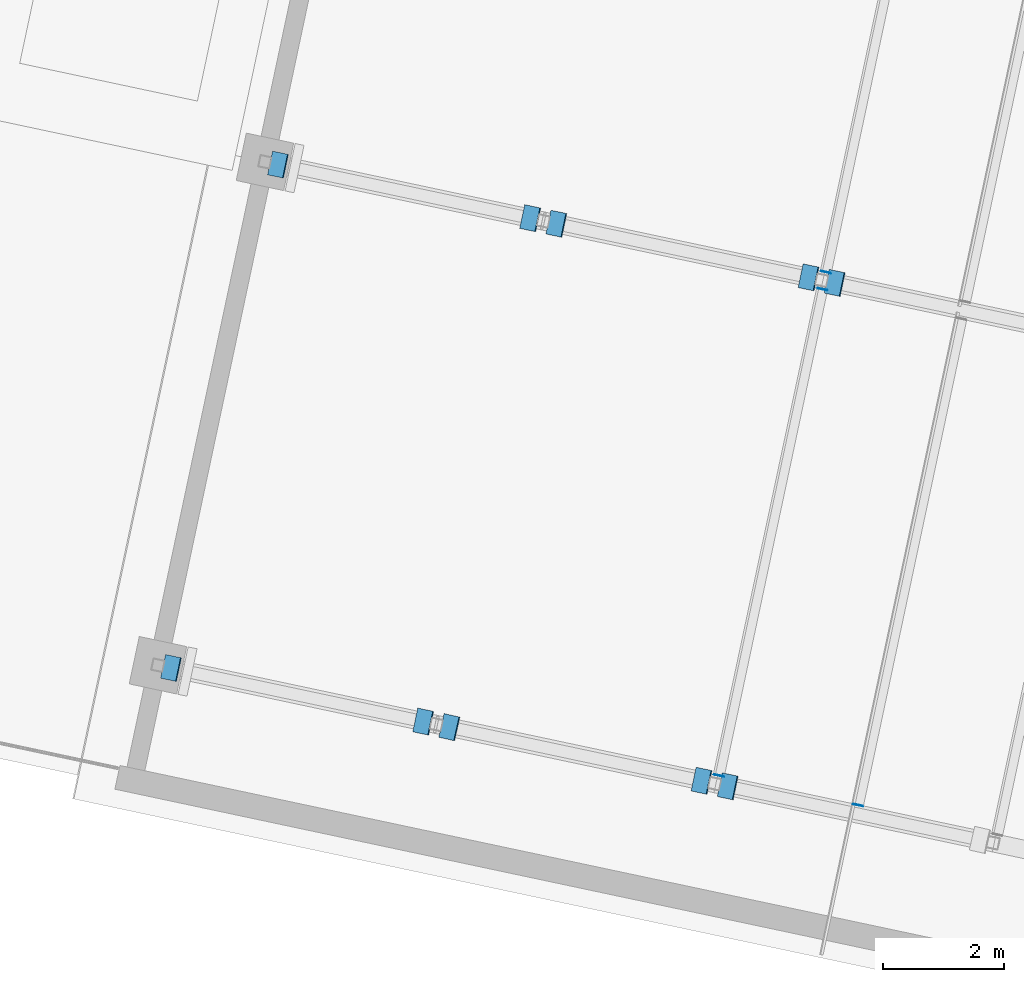
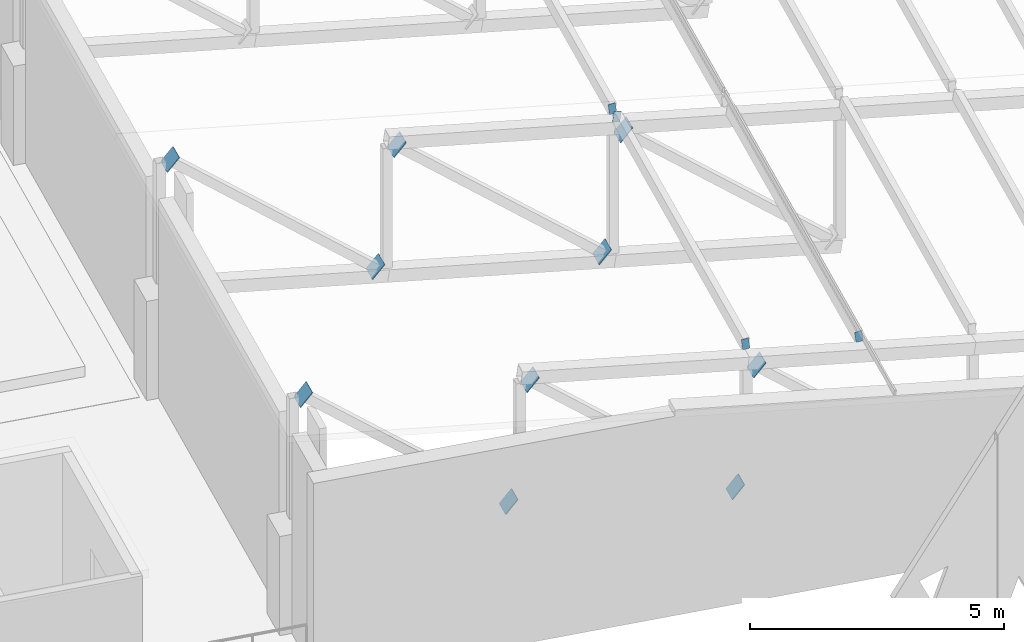
# One storey, part 149 of 196: 14 discrete accessories.
"""IFC4 building model written with IfcOpenShell, lengths in metres."""

from ifc_helpers import new_model, si_unit, direction, frame, origin, origin_2d, place, context, subcontext, project, spatial, rectangle, extrude, material, layer, layer_set, type_object, element, save


model = new_model("IFC4")

# Units and contexts
model_context = context("Model", 3, precision=1e-05, world=origin(), true_north=direction((0.0, 1.0)))
body_context = subcontext(model_context, "Body", "Model", "MODEL_VIEW")
ifc_project = project(units=[si_unit("LENGTHUNIT", "METRE"), si_unit("AREAUNIT", "SQUARE_METRE"), si_unit("VOLUMEUNIT", "CUBIC_METRE"), si_unit("PLANEANGLEUNIT", "RADIAN"), si_unit("MASSUNIT", "GRAM", prefix="KILO")], contexts=[model_context])

# Site, building, storey
site_placement = place(None, origin())
site = spatial("IfcSite", under=ifc_project, at=site_placement, CompositionType="ELEMENT")
building_placement = place(site_placement, origin())
building = spatial("IfcBuilding", under=site, at=building_placement, Name="Okhra Congress Centre", CompositionType="ELEMENT")
storey_placement = place(building_placement, frame((0.0, 0.0, 12.0)))
storey = spatial("IfcBuildingStorey", under=building, at=storey_placement, Name="L02", CompositionType="ELEMENT", Elevation=12.0)

# Discrete accessories
ifc_material = material(Name="Steel S355J2", Category="steel")
ifc_layer_1 = layer(ifc_material, 0.02001953125)
ifc_layer_set_1 = layer_set([ifc_layer_1], Name="Brace end connection plate 20 mm S355")
discrete_accessory_type_1 = type_object("IfcDiscreteAccessoryType", Name="Brace end connection plate 20 mm S355", PredefinedType="BRACKET", material=ifc_layer_set_1)
for number, where, z_axis, x_axis, name in (
    (1, (200.17333984375, 95.626708984375, 5.398193359375), (-0.756491435081, 0.158619171872, 0.634476687487), (-0.205214844297, -0.978716949726, 0.0), "Brace end connection plate"),
    (2, (204.323486328125, 94.74462890625, 1.912841796875), (0.756491435081, -0.158619171872, -0.634476687487), (0.205214844297, 0.978716949726, 0.0), "Brace end connection plate"),
    (3, (204.7705078125, 94.6494140625, 4.737548828125), (-0.754975587422, 0.17047835845, 0.633205331387), (-0.220260871435, -0.975441002068, 0.0), "Brace end connection plate"),
    (4, (208.920654296875, 93.767333984375, 1.25244140625), (0.756491435081, -0.158619171872, -0.634476687487), (0.205214844297, 0.978716949726, 0.0), "Brace end connection plate"),
    (5, (209.367919921875, 93.67236328125, 4.076904296875), (-0.756491435081, 0.158619171872, 0.634476687487), (-0.205214844297, -0.978716949726, 0.0), "Brace end connection plate"),
    (6, (201.9404296875, 103.94091796875, 5.398193359375), (-0.756491435081, 0.158619171872, 0.634476687487), (-0.205214844297, -0.978716949726, 0.0), "Brace end connection plate"),
):
    element("IfcDiscreteAccessory", number, at=place(storey_placement, frame(where, z_axis=z_axis, x_axis=x_axis)), inside=storey, type_object=discrete_accessory_type_1, Name=name, PredefinedType="BRACKET", context=body_context, shape_type="SweptSolid", body=[
        extrude(rectangle(XDim=0.39990234375, YDim=0.39990234375, at=origin_2d()), origin(), (0.0, 0.0, 1.0), 0.02001953125),
    ])
discrete_accessory_placement = place(storey_placement, frame((206.0908203125, 103.058837890625, 1.912841796875), z_axis=(0.751199626988, -0.160091723784, -0.640366895138), x_axis=(0.208433994533, 0.978036435887, 0.0)))
element("IfcDiscreteAccessory", 7, at=discrete_accessory_placement, inside=storey, type_object=discrete_accessory_type_1, Name="Brace end connection plate", PredefinedType="BRACKET", context=body_context, shape_type="SweptSolid", body=[
    extrude(rectangle(XDim=0.39990234375, YDim=0.39990234375, at=origin_2d()), origin(), (0.0, 0.0, 1.0), 0.019775390625),
])
for number, where, z_axis, x_axis, name in (
    (8, (206.537841796875, 102.9638671875, 4.737548828125), (-0.756491435081, 0.158619171872, 0.634476687487), (-0.205214844297, -0.978716949726, 0.0), "Brace end connection plate"),
    (9, (210.68798828125, 102.08154296875, 1.25244140625), (0.756491435081, -0.158619171872, -0.634476687487), (0.205214844297, 0.978716949726, 0.0), "Brace end connection plate"),
    (10, (211.135009765625, 101.986572265625, 4.076904296875), (-0.756491435081, 0.158619171872, 0.634476687487), (-0.205214844297, -0.978716949726, 0.0), "Brace end connection plate"),
):
    element("IfcDiscreteAccessory", number, at=place(storey_placement, frame(where, z_axis=z_axis, x_axis=x_axis)), inside=storey, type_object=discrete_accessory_type_1, Name=name, PredefinedType="BRACKET", context=body_context, shape_type="SweptSolid", body=[
        extrude(rectangle(XDim=0.39990234375, YDim=0.39990234375, at=origin_2d()), origin(), (0.0, 0.0, 1.0), 0.02001953125),
    ])
ifc_layer_2 = layer(ifc_material, 0.011962890625)
ifc_layer_set_2 = layer_set([ifc_layer_2], Name="Hollow section end cap 12 mm S355")
discrete_accessory_type_2 = type_object("IfcDiscreteAccessoryType", Name="Hollow section end cap 12 mm S355", PredefinedType="BRACKET", material=ifc_layer_set_2)
for number, where, z_axis, x_axis, name in (
    (11, (209.212890625, 93.858642578125, 4.537109375), (-0.203954254112, -0.978980419738, 0.0), (0.969453049589, -0.201969385331, 0.13917310096), "Hollow section end cap"),
    (12, (210.917724609375, 101.87939453125, 4.537109375), (0.203954254112, 0.978980419738, 0.0), (-0.969453049589, 0.201969385331, 0.13917310096), "Hollow section end cap"),
    (13, (211.511474609375, 93.3701171875, 4.206787109375), (-0.203954254112, -0.978980419738, 0.0), (0.969453049589, -0.201969385331, 0.13917310096), "Hollow section end cap"),
    (14, (210.980224609375, 102.1728515625, 4.537109375), (-0.223376156329, -0.974732318528, 0.0), (0.965246290609, -0.221202274931, 0.13917310096), "Hollow section end cap"),
):
    element("IfcDiscreteAccessory", number, at=place(storey_placement, frame(where, z_axis=z_axis, x_axis=x_axis)), inside=storey, type_object=discrete_accessory_type_2, Name=name, PredefinedType="BRACKET", context=body_context, shape_type="SweptSolid", body=[
        extrude(rectangle(XDim=0.14990234375, YDim=0.25, at=origin_2d()), origin(), (0.0, 0.0, 1.0), 0.011962890625),
    ])

save(model, "model.ifc")
